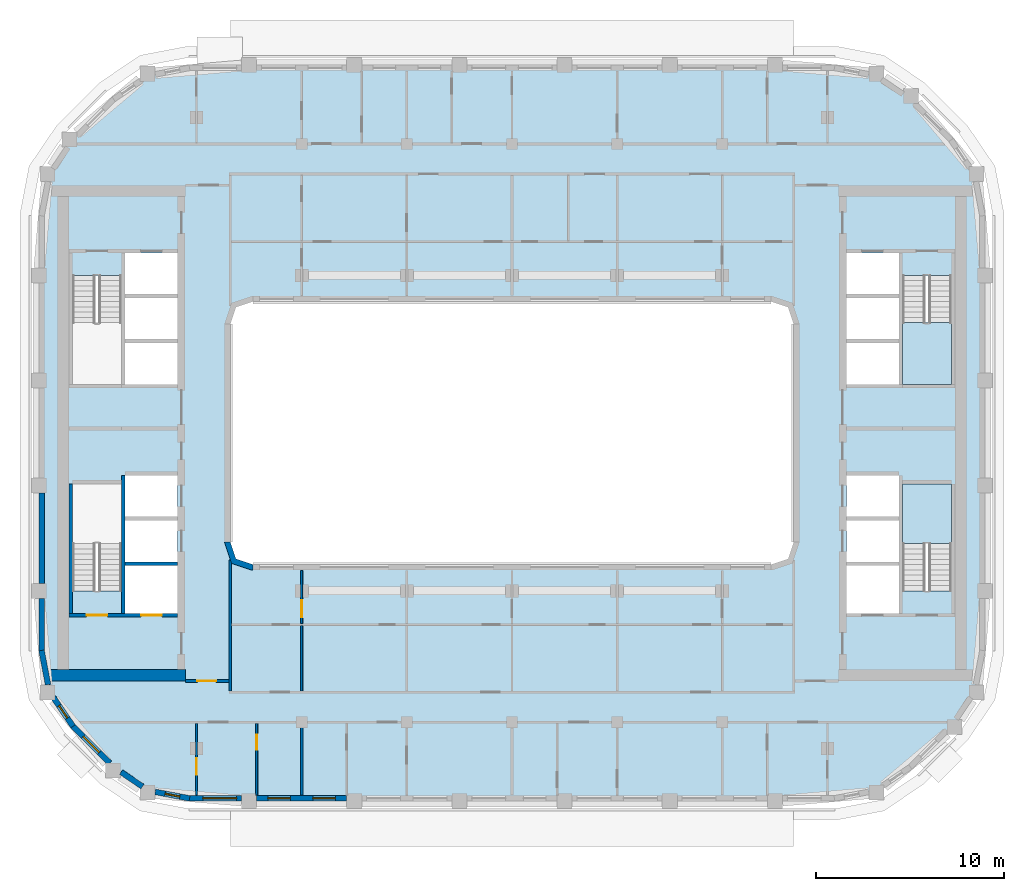
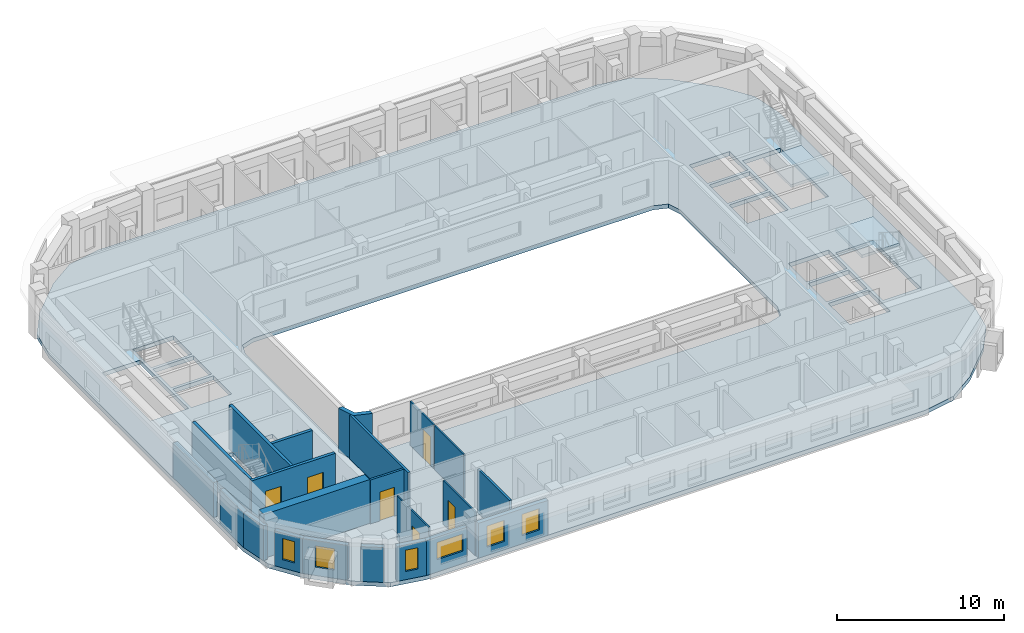
# One storey, part 2 of 16: 22 walls, 6 doors, 6 windows, 3 slabs, 12 openings, 2 elements without a shape of their own.
"""IFC4 building model written with IfcOpenShell, lengths in metres."""

from ifc_helpers import new_model, si_unit, direction, frame, frame_2d, origin, place, context, subcontext, project, spatial, polyline, rectangle, outline, extrude, material, layer, layer_set, type_object, element, fill, aggregate, save


model = new_model("IFC4")

# Units and contexts
model_context = context("Model", 3, precision=1e-05, world=origin(), true_north=direction((0.0, 1.0)))
body_context = subcontext(model_context, "Body", "Model", "MODEL_VIEW")
ifc_project = project(units=[si_unit("LENGTHUNIT", "METRE"), si_unit("AREAUNIT", "SQUARE_METRE"), si_unit("VOLUMEUNIT", "CUBIC_METRE"), si_unit("PLANEANGLEUNIT", "RADIAN"), si_unit("MASSUNIT", "GRAM", prefix="KILO")], contexts=[model_context])

# Site, building, storey
site_placement = place(None, origin())
site = spatial("IfcSite", under=ifc_project, at=site_placement, CompositionType="ELEMENT")
building_placement = place(site_placement, origin())
building = spatial("IfcBuilding", under=site, at=building_placement, Name="Kiln Ring Residences", CompositionType="ELEMENT")
storey_placement = place(building_placement, frame((0.0, 0.0, 245.199951171875)))
storey = spatial("IfcBuildingStorey", under=building, at=storey_placement, Name="L63", CompositionType="ELEMENT", Elevation=245.199951171875)

# Stair, slab
ifc_material_1 = material(Name="Concrete C40/50", Category="concrete")
stair_type = type_object("IfcStairType", Name="CORE-STAIR", PredefinedType="HALF_TURN_STAIR", material=ifc_material_1)
placement_1 = place(storey_placement, origin())
stair_1 = element("IfcStair", 1, at=placement_1, inside=storey, type_object=stair_type, Name="L63 stair E-STN", PredefinedType="HALF_TURN_STAIR")
ifc_material_2 = material(Name="Concrete C40/50", Category="concrete")
ifc_layer_1 = layer(ifc_material_2, 0.199951171875)
ifc_layer_set_1 = layer_set([ifc_layer_1], Name="CORE-STAIR-LANDING")
slab_type_1 = type_object("IfcSlabType", Name="CORE-STAIR-LANDING", PredefinedType="LANDING", material=ifc_layer_set_1)
placement_2 = place(storey_placement, frame((0.0, 0.0, 1.550048828125)))
slab_1 = element("IfcSlab", 2, at=placement_2, type_object=slab_type_1, Name="E-STN landing 1", PredefinedType="LANDING", context=body_context, shape_type="SweptSolid", body=[
    extrude(outline(polyline([(20.800048828125, 5.8798828125), (20.800048828125, 2.60009765625), (23.39990234375, 2.60009765625), (23.39990234375, 5.8798828125), (20.800048828125, 5.8798828125)])), origin(), (0.0, 0.0, 1.0), 0.199951171875),
])
aggregate(stair_1, [slab_1])

stair_2 = element("IfcStair", 3, at=placement_1, inside=storey, type_object=stair_type, Name="L63 stair E-STS", PredefinedType="HALF_TURN_STAIR")
slab_2 = element("IfcSlab", 4, at=placement_2, type_object=slab_type_1, Name="E-STS landing 1", PredefinedType="LANDING", context=body_context, shape_type="SweptSolid", body=[
    extrude(outline(polyline([(23.39990234375, -5.8798828125), (23.39990234375, -2.699951171875), (20.800048828125, -2.699951171875), (20.800048828125, -5.8798828125), (23.39990234375, -5.8798828125)])), origin(), (0.0, 0.0, 1.0), 0.199951171875),
])
aggregate(stair_2, [slab_2])

# Slab
ifc_material_3 = material(Name="Concrete C40/50", Category="concrete")
ifc_layer_2 = layer(ifc_material_3, 0.300048828125)
ifc_layer_set_2 = layer_set([ifc_layer_2], Name="Floor slab 300")
slab_type_2 = type_object("IfcSlabType", Name="Floor slab 300", PredefinedType="FLOOR", material=ifc_layer_set_2)
slab_3_placement = place(storey_placement, frame((0.0, 0.0, -0.300048828125)))
element("IfcSlab", 5, at=slab_3_placement, inside=storey, type_object=slab_type_2, Name="Floor slab L63 1", PredefinedType="FLOOR", context=body_context, shape_type="SweptSolid", body=[
    extrude(outline(polyline([(-23.5029296875, -15.697021484375), (-21.297119140625, -17.90283203125), (-19.42431640625, -19.17578125), (-17.199951171875, -19.60009765625), (17.199951171875, -19.60009765625), (19.42431640625, -19.17578125), (21.297119140625, -17.90283203125), (23.5029296875, -15.697021484375), (24.775634765625, -13.82421875), (25.199951171875, -11.60009765625), (25.199951171875, 11.60009765625), (24.775634765625, 13.82421875), (23.5029296875, 15.697021484375), (21.297119140625, 17.90283203125), (19.42431640625, 19.17578125), (17.199951171875, 19.60009765625), (-17.199951171875, 19.60009765625), (-19.42431640625, 19.17578125), (-21.297119140625, 17.90283203125), (-23.5029296875, 15.697021484375), (-24.775634765625, 13.82421875), (-25.199951171875, 11.60009765625), (-25.199951171875, -11.60009765625), (-24.775634765625, -13.82421875), (-23.5029296875, -15.697021484375)]), holes=[polyline([(-14.699951171875, -6.699951171875), (-15.0, -5.800048828125), (-15.0, 5.800048828125), (-14.699951171875, 6.699951171875), (-13.800048828125, 7.0), (13.800048828125, 7.0), (14.699951171875, 6.699951171875), (15.0, 5.800048828125), (15.0, -5.800048828125), (14.699951171875, -6.699951171875), (13.800048828125, -7.0), (-13.800048828125, -7.0), (-14.699951171875, -6.699951171875)]), polyline([(20.800048828125, -8.39794921875), (20.800048828125, -2.699951171875), (23.39990234375, -2.699951171875), (23.39990234375, -8.39794921875), (20.800048828125, -8.39794921875)]), polyline([(20.800048828125, 2.60009765625), (20.800048828125, 8.39794921875), (23.39990234375, 8.39794921875), (23.39990234375, 2.60009765625), (20.800048828125, 2.60009765625)]), polyline([(17.800048828125, -9.60009765625), (17.800048828125, -7.050048828125), (20.60009765625, -7.050048828125), (20.60009765625, -9.60009765625), (17.800048828125, -9.60009765625)]), polyline([(17.800048828125, -6.85009765625), (17.800048828125, -4.64990234375), (20.60009765625, -4.64990234375), (20.60009765625, -6.85009765625), (17.800048828125, -6.85009765625)]), polyline([(17.800048828125, -4.449951171875), (17.800048828125, -2.25), (20.60009765625, -2.25), (20.60009765625, -4.449951171875), (17.800048828125, -4.449951171875)]), polyline([(17.800048828125, 2.60009765625), (17.800048828125, 4.800048828125), (20.60009765625, 4.800048828125), (20.60009765625, 2.60009765625), (17.800048828125, 2.60009765625)]), polyline([(17.800048828125, 5.0), (17.800048828125, 7.199951171875), (20.60009765625, 7.199951171875), (20.60009765625, 5.0), (17.800048828125, 5.0)]), polyline([(17.800048828125, 7.39990234375), (17.800048828125, 9.60009765625), (20.60009765625, 9.60009765625), (20.60009765625, 7.39990234375), (17.800048828125, 7.39990234375)]), polyline([(-17.800048828125, -9.60009765625), (-20.60009765625, -9.60009765625), (-20.60009765625, -7.050048828125), (-17.800048828125, -7.050048828125), (-17.800048828125, -9.60009765625)]), polyline([(-17.800048828125, -6.85009765625), (-20.60009765625, -6.85009765625), (-20.60009765625, -4.64990234375), (-17.800048828125, -4.64990234375), (-17.800048828125, -6.85009765625)]), polyline([(-17.800048828125, -4.449951171875), (-20.60009765625, -4.449951171875), (-20.60009765625, -2.25), (-17.800048828125, -2.25), (-17.800048828125, -4.449951171875)]), polyline([(-17.800048828125, 2.60009765625), (-20.60009765625, 2.60009765625), (-20.60009765625, 4.800048828125), (-17.800048828125, 4.800048828125), (-17.800048828125, 2.60009765625)]), polyline([(-17.800048828125, 5.0), (-20.60009765625, 5.0), (-20.60009765625, 7.199951171875), (-17.800048828125, 7.199951171875), (-17.800048828125, 5.0)]), polyline([(-17.800048828125, 7.39990234375), (-20.60009765625, 7.39990234375), (-20.60009765625, 9.60009765625), (-17.800048828125, 9.60009765625), (-17.800048828125, 7.39990234375)]), polyline([(-20.800048828125, -8.39794921875), (-23.39990234375, -8.39794921875), (-23.39990234375, -2.699951171875), (-20.800048828125, -2.699951171875), (-20.800048828125, -8.39794921875)]), polyline([(-20.800048828125, 2.60009765625), (-23.39990234375, 2.60009765625), (-23.39990234375, 8.39794921875), (-20.800048828125, 8.39794921875), (-20.800048828125, 2.60009765625)])]), origin(), (0.0, 0.0, 1.0), 0.300048828125),
])

# Walls
ifc_material_4 = material(Name="Gypsum shaft wall system")
ifc_layer_3 = layer(ifc_material_4, 0.199951171875)
ifc_layer_set_3 = layer_set([ifc_layer_3], Name="CORE-SHAFT-WALL-200")
wall_type_1 = type_object("IfcWallType", Name="CORE-SHAFT-WALL-200", PredefinedType="PARTITIONING", material=ifc_layer_set_3)
wall_1_placement = place(storey_placement, frame((-17.800048828125, -6.949951171875, 0.0), z_axis=(0.0, 0.0, 1.0), x_axis=(-1.0, 0.0, 0.0)))
element("IfcWall", 6, at=wall_1_placement, inside=storey, type_object=wall_type_1, Name="Core partition west L63 2", PredefinedType="PARTITIONING", context=body_context, shape_type="SweptSolid", body=[
    extrude(rectangle(XDim=2.800048828125, YDim=0.199951171875, at=frame_2d((1.39990234375, 0.0))), origin(), (0.0, 0.0, 1.0), 3.199951171875),
])
ifc_material_5 = material(Name="Concrete C40/50", Category="concrete")
ifc_layer_4 = layer(ifc_material_5, 0.199951171875)
ifc_layer_set_4 = layer_set([ifc_layer_4], Name="CORE-WALL-RC200")
wall_type_2 = type_object("IfcWallType", Name="CORE-WALL-RC200", PredefinedType="SHEAR", material=ifc_layer_set_4)
wall_2_placement = place(storey_placement, frame((-20.699951171875, -9.60009765625, 0.0), z_axis=(0.0, 0.0, 1.0), x_axis=(0.0, 1.0, 0.0)))
element("IfcWall", 7, at=wall_2_placement, inside=storey, type_object=wall_type_2, Name="Core wall west L63 2", PredefinedType="SHEAR", context=body_context, shape_type="SweptSolid", body=[
    extrude(rectangle(XDim=7.35009765625, YDim=0.199951171875, at=frame_2d((3.675048828125, 0.0))), origin(), (0.0, 0.0, 1.0), 3.199951171875),
])

# Wall, openings, doors
wall_3_placement = place(storey_placement, frame((-17.800048828125, -9.699951171875, 0.0), z_axis=(0.0, 0.0, 1.0), x_axis=(-1.0, 0.0, 0.0)))
wall_3 = element("IfcWall", 8, at=wall_3_placement, inside=storey, type_object=wall_type_2, Name="Core wall west L63 8", PredefinedType="SHEAR", context=body_context, shape_type="SweptSolid", body=[
    extrude(rectangle(XDim=5.800048828125, YDim=0.199951171875, at=frame_2d((2.89990234375, 0.0))), origin(), (0.0, 0.0, 1.0), 3.199951171875),
])
opening_1_placement = place(wall_3_placement, frame((0.85009765625, 0.0, 0.0)))
opening_1 = element("IfcOpeningElement", 9, at=opening_1_placement, cuts=wall_3, Name="Opening L63-CW01", PredefinedType="OPENING", context=body_context, shape_type="SweptSolid", body=[
    extrude(rectangle(XDim=1.10009765625, YDim=2.10009765625, at=frame_2d((0.550048828125, 1.050048828125))), frame((0.0, 0.10986328125, 0.0), z_axis=(0.0, -1.0, 0.0), x_axis=(1.0, 0.0, 0.0)), (0.0, 0.0, 1.0), 0.219970703125),
])
opening_2_placement = place(wall_3_placement, frame((3.75, 0.0, 0.0)))
opening_2 = element("IfcOpeningElement", 10, at=opening_2_placement, cuts=wall_3, Name="Opening L63-CW09", PredefinedType="OPENING", context=body_context, shape_type="SweptSolid", body=[
    extrude(rectangle(XDim=1.10009765625, YDim=2.10009765625, at=frame_2d((0.550048828125, 1.050048828125))), frame((0.0, 0.10986328125, 0.0), z_axis=(0.0, -1.0, 0.0), x_axis=(1.0, 0.0, 0.0)), (0.0, 0.0, 1.0), 0.219970703125),
])
ifc_material_6 = material(Name="Steel door leaf", Category="steel")
door_type_1 = type_object("IfcDoorType", Name="CORE-DOOR-LD", OperationType="DOUBLE_DOOR_SLIDING", PredefinedType="DOOR", material=ifc_material_6)
door_1_placement = place(opening_1_placement, origin())
door_1 = element("IfcDoor", 11, at=door_1_placement, inside=storey, type_object=door_type_1, Name="LD W-SV L63-CW01", OperationType="DOUBLE_DOOR_SLIDING", OverallHeight=2.10009765625, OverallWidth=1.10009765625, PredefinedType="DOOR", context=body_context, shape_type="SweptSolid", body=[
    extrude(rectangle(XDim=1.10009765625, YDim=2.10009765625, at=frame_2d((0.550048828125, 1.050048828125))), frame((0.0, 0.02490234375, 0.0), z_axis=(0.0, -1.0, 0.0), x_axis=(1.0, 0.0, 0.0)), (0.0, 0.0, 1.0), 0.050048828125),
])
fill(opening_1, door_1)
ifc_material_7 = material(Name="Steel door leaf", Category="steel")
door_type_2 = type_object("IfcDoorType", Name="CORE-DOOR-STAIR", OperationType="SINGLE_SWING_LEFT", PredefinedType="DOOR", material=ifc_material_7)
door_2_placement = place(opening_2_placement, origin())
door_2 = element("IfcDoor", 12, at=door_2_placement, inside=storey, type_object=door_type_2, Name="Stair W-STS L63-CW09", OperationType="SINGLE_SWING_RIGHT", OverallHeight=2.10009765625, OverallWidth=1.10009765625, PredefinedType="DOOR", context=body_context, shape_type="SweptSolid", body=[
    extrude(rectangle(XDim=1.10009765625, YDim=2.10009765625, at=frame_2d((0.550048828125, 1.050048828125))), frame((0.0, 0.02490234375, 0.0), z_axis=(0.0, -1.0, 0.0), x_axis=(1.0, 0.0, 0.0)), (0.0, 0.0, 1.0), 0.050048828125),
])
fill(opening_2, door_2)

# Walls
wall_4_placement = place(storey_placement, frame((-23.5, -9.60009765625, 0.0), z_axis=(0.0, 0.0, 1.0), x_axis=(0.0, 1.0, 0.0)))
element("IfcWall", 13, at=wall_4_placement, inside=storey, type_object=wall_type_2, Name="Core wall west L63 11", PredefinedType="SHEAR", context=body_context, shape_type="SweptSolid", body=[
    extrude(rectangle(XDim=6.900146484375, YDim=0.199951171875, at=frame_2d((3.4501953125, 0.0))), origin(), (0.0, 0.0, 1.0), 3.199951171875),
])
ifc_material_8 = material(Name="Concrete C60/75", Category="concrete")
ifc_layer_5 = layer(ifc_material_8, 0.60009765625)
ifc_layer_set_5 = layer_set([ifc_layer_5], Name="CORE-WALL-RC600")
wall_type_3 = type_object("IfcWallType", Name="CORE-WALL-RC600", PredefinedType="SHEAR", material=ifc_layer_set_5)
wall_5_placement = place(storey_placement, frame((-17.39990234375, -12.89990234375, 0.0), z_axis=(0.0, 0.0, 1.0), x_axis=(-1.0, 0.0, 0.0)))
element("IfcWall", 14, at=wall_5_placement, inside=storey, type_object=wall_type_3, Name="Core wall west L63 5", PredefinedType="SHEAR", context=body_context, shape_type="SweptSolid", body=[
    extrude(rectangle(XDim=7.320068359375, YDim=0.60009765625, at=frame_2d((3.66015625, 0.0))), origin(), (0.0, 0.0, 1.0), 3.199951171875),
])

# Wall, opening, window
ifc_material_9 = material(Name="Brick masonry, dark clay brick", Category="masonry")
ifc_layer_6 = layer(ifc_material_9, 0.300048828125)
ifc_layer_set_6 = layer_set([ifc_layer_6], Name="EW-300 BRICK WALL")
wall_type_4 = type_object("IfcWallType", Name="EW-300 BRICK WALL", PredefinedType="SOLIDWALL", material=ifc_layer_set_6)
wall_6_placement = place(storey_placement, frame((-23.39697265625, -15.591064453125, 0.0), z_axis=(0.0, 0.0, 1.0), x_axis=(0.707150377276, -0.707063182409, 0.0)))
wall_6 = element("IfcWall", 15, at=wall_6_placement, inside=storey, type_object=wall_type_4, Name="Facade wall L63 1", PredefinedType="SOLIDWALL", context=body_context, shape_type="SweptSolid", body=[
    extrude(rectangle(XDim=2.800048828125, YDim=0.300048828125, at=frame_2d((1.39990234375, 0.0))), origin(), (0.0, 0.0, 1.0), 2.550048828125),
])
opening_3_placement = place(wall_6_placement, frame((0.800048828125, 0.0, 0.60009765625)))
opening_3 = element("IfcOpeningElement", 16, at=opening_3_placement, cuts=wall_6, Name="Opening W1", PredefinedType="OPENING", context=body_context, shape_type="SweptSolid", body=[
    extrude(rectangle(XDim=1.199951171875, YDim=1.550048828125, at=frame_2d((0.60009765625, 0.77490234375))), frame((0.0, 0.159912109375, 0.0), z_axis=(0.0, -1.0, 0.0), x_axis=(1.0, 0.0, 0.0)), (0.0, 0.0, 1.0), 0.320068359375),
])
ifc_material_10 = material(Name="Aluminium frame with double glazing", Category="aluminium")
window_type_1 = type_object("IfcWindowType", Name="WINDOW 1200 x 1550", PartitioningType="SINGLE_PANEL", PredefinedType="WINDOW", material=ifc_material_10)
window_1_placement = place(opening_3_placement, origin())
window_1 = element("IfcWindow", 17, at=window_1_placement, inside=storey, type_object=window_type_1, Name="Window L63 1", OverallHeight=1.550048828125, OverallWidth=1.199951171875, PartitioningType="SINGLE_PANEL", PredefinedType="WINDOW", context=body_context, shape_type="SweptSolid", body=[
    extrude(rectangle(XDim=1.199951171875, YDim=1.550048828125, at=frame_2d((0.60009765625, 0.77490234375))), frame((0.0, 0.030029296875, 0.0), z_axis=(0.0, -1.0, 0.0), x_axis=(1.0, 0.0, 0.0)), (0.0, 0.0, 1.0), 0.06005859375),
])
fill(opening_3, window_1)

# Wall
wall_7_placement = place(storey_placement, frame((-20.816650390625, -18.048095703125, 0.0), z_axis=(0.0, 0.0, 1.0), x_axis=(0.827025410886, -0.562164539747, 0.0)))
element("IfcWall", 18, at=wall_7_placement, inside=storey, type_object=wall_type_4, Name="Facade wall L63 2", PredefinedType="SOLIDWALL", context=body_context, shape_type="SweptSolid", body=[
    extrude(rectangle(XDim=1.377197265625, YDim=0.300048828125, at=frame_2d((0.6884765625, 0.0))), origin(), (0.0, 0.0, 1.0), 2.550048828125),
])

# Wall, opening, window
wall_8_placement = place(storey_placement, frame((-18.9951171875, -19.10498046875, 0.0), z_axis=(0.0, 0.0, 1.0), x_axis=(0.982301706131, -0.187305520826, 0.0)))
wall_8 = element("IfcWall", 19, at=wall_8_placement, inside=storey, type_object=wall_type_4, Name="Facade wall L63 3", PredefinedType="SOLIDWALL", context=body_context, shape_type="SweptSolid", body=[
    extrude(rectangle(XDim=1.856201171875, YDim=0.300048828125, at=frame_2d((0.92822265625, 0.0))), origin(), (0.0, 0.0, 1.0), 2.550048828125),
])
opening_4_placement = place(wall_8_placement, frame((0.528076171875, 0.0, 0.60009765625)))
opening_4 = element("IfcOpeningElement", 20, at=opening_4_placement, cuts=wall_8, Name="Opening W5", PredefinedType="OPENING", context=body_context, shape_type="SweptSolid", body=[
    extrude(rectangle(XDim=0.800048828125, YDim=1.550048828125, at=frame_2d((0.39990234375, 0.77490234375))), frame((0.0, 0.159912109375, 0.0), z_axis=(0.0, -1.0, 0.0), x_axis=(1.0, 0.0, 0.0)), (0.0, 0.0, 1.0), 0.320068359375),
])
ifc_material_11 = material(Name="Aluminium frame with double glazing", Category="aluminium")
window_type_2 = type_object("IfcWindowType", Name="WINDOW 800 x 1550", PartitioningType="SINGLE_PANEL", PredefinedType="WINDOW", material=ifc_material_11)
window_2_placement = place(opening_4_placement, origin())
window_2 = element("IfcWindow", 21, at=window_2_placement, inside=storey, type_object=window_type_2, Name="Window L63 2", OverallHeight=1.550048828125, OverallWidth=0.800048828125, PartitioningType="SINGLE_PANEL", PredefinedType="WINDOW", context=body_context, shape_type="SweptSolid", body=[
    extrude(rectangle(XDim=0.800048828125, YDim=1.550048828125, at=frame_2d((0.39990234375, 0.77490234375))), frame((0.0, 0.030029296875, 0.0), z_axis=(0.0, -1.0, 0.0), x_axis=(1.0, 0.0, 0.0)), (0.0, 0.0, 1.0), 0.06005859375),
])
fill(opening_4, window_2)

wall_9_placement = place(storey_placement, frame((-17.199951171875, -19.449951171875, 0.0), z_axis=(0.0, 0.0, 1.0), x_axis=(1.0, 0.0, 0.0)))
wall_9 = element("IfcWall", 22, at=wall_9_placement, inside=storey, type_object=wall_type_4, Name="Facade wall L63 4", PredefinedType="SOLIDWALL", context=body_context, shape_type="SweptSolid", body=[
    extrude(rectangle(XDim=2.800048828125, YDim=0.300048828125, at=frame_2d((1.39990234375, 0.0))), origin(), (0.0, 0.0, 1.0), 2.550048828125),
])
opening_5_placement = place(wall_9_placement, frame((0.737548828125, 0.0, 0.89990234375)))
opening_5 = element("IfcOpeningElement", 23, at=opening_5_placement, cuts=wall_9, Name="Opening W2", PredefinedType="OPENING", context=body_context, shape_type="SweptSolid", body=[
    extrude(rectangle(XDim=1.800048828125, YDim=1.25, at=frame_2d((0.89990234375, 0.625))), frame((0.0, 0.159912109375, 0.0), z_axis=(0.0, -1.0, 0.0), x_axis=(1.0, 0.0, 0.0)), (0.0, 0.0, 1.0), 0.320068359375),
])
ifc_material_12 = material(Name="Aluminium frame with double glazing", Category="aluminium")
window_type_3 = type_object("IfcWindowType", Name="WINDOW 1800 x 1250", PartitioningType="SINGLE_PANEL", PredefinedType="WINDOW", material=ifc_material_12)
window_3_placement = place(opening_5_placement, origin())
window_3 = element("IfcWindow", 24, at=window_3_placement, inside=storey, type_object=window_type_3, Name="Window L63 3", OverallHeight=1.25, OverallWidth=1.800048828125, PartitioningType="SINGLE_PANEL", PredefinedType="WINDOW", context=body_context, shape_type="SweptSolid", body=[
    extrude(rectangle(XDim=1.800048828125, YDim=1.25, at=frame_2d((0.89990234375, 0.625))), frame((0.0, 0.030029296875, 0.0), z_axis=(0.0, -1.0, 0.0), x_axis=(1.0, 0.0, 0.0)), (0.0, 0.0, 1.0), 0.06005859375),
])
fill(opening_5, window_3)

# Wall, openings, windows
wall_10_placement = place(storey_placement, frame((-13.60009765625, -19.449951171875, 0.0), z_axis=(0.0, 0.0, 1.0), x_axis=(1.0, 0.0, 0.0)))
wall_10 = element("IfcWall", 25, at=wall_10_placement, inside=storey, type_object=wall_type_4, Name="Facade wall L63 5", PredefinedType="SOLIDWALL", context=body_context, shape_type="SweptSolid", body=[
    extrude(rectangle(XDim=4.800048828125, YDim=0.300048828125, at=frame_2d((2.39990234375, 0.0))), origin(), (0.0, 0.0, 1.0), 2.550048828125),
])
opening_6_placement = place(wall_10_placement, frame((0.60009765625, 0.0, 0.60009765625)))
opening_6 = element("IfcOpeningElement", 26, at=opening_6_placement, cuts=wall_10, Name="Opening W1", PredefinedType="OPENING", context=body_context, shape_type="SweptSolid", body=[
    extrude(rectangle(XDim=1.199951171875, YDim=1.550048828125, at=frame_2d((0.60009765625, 0.77490234375))), frame((0.0, 0.159912109375, 0.0), z_axis=(0.0, -1.0, 0.0), x_axis=(1.0, 0.0, 0.0)), (0.0, 0.0, 1.0), 0.320068359375),
])
opening_7_placement = place(wall_10_placement, frame((3.0, 0.0, 0.60009765625)))
opening_7 = element("IfcOpeningElement", 27, at=opening_7_placement, cuts=wall_10, Name="Opening W1", PredefinedType="OPENING", context=body_context, shape_type="SweptSolid", body=[
    extrude(rectangle(XDim=1.199951171875, YDim=1.550048828125, at=frame_2d((0.60009765625, 0.77490234375))), frame((0.0, 0.159912109375, 0.0), z_axis=(0.0, -1.0, 0.0), x_axis=(1.0, 0.0, 0.0)), (0.0, 0.0, 1.0), 0.320068359375),
])
window_4_placement = place(opening_6_placement, origin())
window_4 = element("IfcWindow", 28, at=window_4_placement, inside=storey, type_object=window_type_1, Name="Window L63 4", OverallHeight=1.550048828125, OverallWidth=1.199951171875, PartitioningType="SINGLE_PANEL", PredefinedType="WINDOW", context=body_context, shape_type="SweptSolid", body=[
    extrude(rectangle(XDim=1.199951171875, YDim=1.550048828125, at=frame_2d((0.60009765625, 0.77490234375))), frame((0.0, 0.030029296875, 0.0), z_axis=(0.0, -1.0, 0.0), x_axis=(1.0, 0.0, 0.0)), (0.0, 0.0, 1.0), 0.06005859375),
])
fill(opening_6, window_4)
window_5_placement = place(opening_7_placement, origin())
window_5 = element("IfcWindow", 29, at=window_5_placement, inside=storey, type_object=window_type_1, Name="Window L63 5", OverallHeight=1.550048828125, OverallWidth=1.199951171875, PartitioningType="SINGLE_PANEL", PredefinedType="WINDOW", context=body_context, shape_type="SweptSolid", body=[
    extrude(rectangle(XDim=1.199951171875, YDim=1.550048828125, at=frame_2d((0.60009765625, 0.77490234375))), frame((0.0, 0.030029296875, 0.0), z_axis=(0.0, -1.0, 0.0), x_axis=(1.0, 0.0, 0.0)), (0.0, 0.0, 1.0), 0.06005859375),
])
fill(opening_7, window_5)

# Walls
wall_11_placement = place(storey_placement, frame((-25.050048828125, -3.199951171875, 0.0), z_axis=(0.0, 0.0, 1.0), x_axis=(0.0, -1.0, 0.0)))
element("IfcWall", 30, at=wall_11_placement, inside=storey, type_object=wall_type_4, Name="Facade wall L63 41", PredefinedType="SOLIDWALL", context=body_context, shape_type="SweptSolid", body=[
    extrude(rectangle(XDim=4.800048828125, YDim=0.300048828125, at=frame_2d((2.39990234375, 0.0))), origin(), (0.0, 0.0, 1.0), 2.550048828125),
])
wall_12_placement = place(storey_placement, frame((-25.050048828125, -8.800048828125, 0.0), z_axis=(0.0, 0.0, 1.0), x_axis=(0.0, -1.0, 0.0)))
element("IfcWall", 31, at=wall_12_placement, inside=storey, type_object=wall_type_4, Name="Facade wall L63 42", PredefinedType="SOLIDWALL", context=body_context, shape_type="SweptSolid", body=[
    extrude(rectangle(XDim=2.800048828125, YDim=0.300048828125, at=frame_2d((1.39990234375, 0.0))), origin(), (0.0, 0.0, 1.0), 2.550048828125),
])
wall_13_placement = place(storey_placement, frame((-25.052734375, -11.57177734375, 0.0), z_axis=(0.0, 0.0, 1.0), x_axis=(0.187408222942, -0.982282117303, 0.0)))
element("IfcWall", 32, at=wall_13_placement, inside=storey, type_object=wall_type_4, Name="Facade wall L63 43", PredefinedType="SOLIDWALL", context=body_context, shape_type="SweptSolid", body=[
    extrude(rectangle(XDim=1.8564453125, YDim=0.300048828125, at=frame_2d((0.92822265625, 0.0))), origin(), (0.0, 0.0, 1.0), 2.550048828125),
])

# Wall, opening, window
wall_14_placement = place(storey_placement, frame((-24.422119140625, -14.07763671875, 0.0), z_axis=(0.0, 0.0, 1.0), x_axis=(0.562054549384, -0.827100165347, 0.0)))
wall_14 = element("IfcWall", 33, at=wall_14_placement, inside=storey, type_object=wall_type_4, Name="Facade wall L63 44", PredefinedType="SOLIDWALL", context=body_context, shape_type="SweptSolid", body=[
    extrude(rectangle(XDim=1.85595703125, YDim=0.300048828125, at=frame_2d((0.927978515625, 0.0))), origin(), (0.0, 0.0, 1.0), 2.550048828125),
])
opening_8_placement = place(wall_14_placement, frame((0.528076171875, 0.0, 0.60009765625)))
opening_8 = element("IfcOpeningElement", 34, at=opening_8_placement, cuts=wall_14, Name="Opening W5", PredefinedType="OPENING", context=body_context, shape_type="SweptSolid", body=[
    extrude(rectangle(XDim=0.800048828125, YDim=1.550048828125, at=frame_2d((0.39990234375, 0.77490234375))), frame((0.0, 0.159912109375, 0.0), z_axis=(0.0, -1.0, 0.0), x_axis=(1.0, 0.0, 0.0)), (0.0, 0.0, 1.0), 0.320068359375),
])
window_6_placement = place(opening_8_placement, origin())
window_6 = element("IfcWindow", 35, at=window_6_placement, inside=storey, type_object=window_type_2, Name="Window L63 36", OverallHeight=1.550048828125, OverallWidth=0.800048828125, PartitioningType="SINGLE_PANEL", PredefinedType="WINDOW", context=body_context, shape_type="SweptSolid", body=[
    extrude(rectangle(XDim=0.800048828125, YDim=1.550048828125, at=frame_2d((0.39990234375, 0.77490234375))), frame((0.0, 0.030029296875, 0.0), z_axis=(0.0, -1.0, 0.0), x_axis=(1.0, 0.0, 0.0)), (0.0, 0.0, 1.0), 0.06005859375),
])
fill(opening_8, window_6)

# Wall
element("IfcWall", 36, at=placement_1, inside=storey, type_object=wall_type_4, Name="Corner wall L63 4", PredefinedType="SOLIDWALL", context=body_context, shape_type="SweptSolid", body=[
    extrude(outline(polyline([(-14.937255859375, -6.937255859375), (-13.8486328125, -7.300048828125), (-13.800048828125, -7.300048828125), (-13.800048828125, -7.0), (-14.699951171875, -6.699951171875), (-15.0, -5.800048828125), (-15.300048828125, -5.800048828125), (-15.300048828125, -5.8486328125), (-14.937255859375, -6.937255859375)])), origin(), (0.0, 0.0, 1.0), 3.199951171875),
])

# Wall, opening, door
ifc_material_13 = material(Name="Gypsum board on steel studs", Category="steel")
ifc_layer_7 = layer(ifc_material_13, 0.10009765625)
ifc_layer_set_7 = layer_set([ifc_layer_7], Name="PARTITION-100")
wall_type_5 = type_object("IfcWallType", Name="PARTITION-100", PredefinedType="PARTITIONING", material=ifc_layer_set_7)
wall_16_placement = place(storey_placement, frame((-16.800048828125, -19.280029296875, 0.0), z_axis=(0.0, 0.0, 1.0), x_axis=(0.0, 1.0, 0.0)))
wall_16 = element("IfcWall", 37, at=wall_16_placement, inside=storey, type_object=wall_type_5, Name="Partition 010", PredefinedType="PARTITIONING", context=body_context, shape_type="SweptSolid", body=[
    extrude(rectangle(XDim=3.804931640625, YDim=0.10009765625, at=frame_2d((1.90234375, 0.0))), origin(), (0.0, 0.0, 1.0), 3.199951171875),
])
opening_9_placement = place(wall_16_placement, frame((1.0791015625, 0.0, 0.0)))
opening_9 = element("IfcOpeningElement", 38, at=opening_9_placement, cuts=wall_16, Name="Opening L63-D043", PredefinedType="OPENING", context=body_context, shape_type="SweptSolid", body=[
    extrude(rectangle(XDim=0.89990234375, YDim=2.10009765625, at=frame_2d((0.449951171875, 1.050048828125))), frame((0.0, 0.06005859375, 0.0), z_axis=(0.0, -1.0, 0.0), x_axis=(1.0, 0.0, 0.0)), (0.0, 0.0, 1.0), 0.1201171875),
])
ifc_material_14 = material(Name="Timber door leaf", Category="wood")
door_type_3 = type_object("IfcDoorType", Name="FLAT-DOOR-900-PL", OperationType="SINGLE_SWING_LEFT", PredefinedType="DOOR", material=ifc_material_14)
door_3_placement = place(opening_9_placement, origin())
door_3 = element("IfcDoor", 39, at=door_3_placement, inside=storey, type_object=door_type_3, Name="Door L63-D043", OperationType="SINGLE_SWING_RIGHT", OverallHeight=2.10009765625, OverallWidth=0.89990234375, PredefinedType="DOOR", context=body_context, shape_type="SweptSolid", body=[
    extrude(rectangle(XDim=0.89990234375, YDim=2.10009765625, at=frame_2d((0.449951171875, 1.050048828125))), frame((0.0, 0.02490234375, 0.0), z_axis=(0.0, -1.0, 0.0), x_axis=(1.0, 0.0, 0.0)), (0.0, 0.0, 1.0), 0.050048828125),
])
fill(opening_9, door_3)

wall_17_placement = place(storey_placement, frame((-13.60009765625, -19.280029296875, 0.0), z_axis=(0.0, 0.0, 1.0), x_axis=(0.0, 1.0, 0.0)))
wall_17 = element("IfcWall", 40, at=wall_17_placement, inside=storey, type_object=wall_type_5, Name="Partition 014", PredefinedType="PARTITIONING", context=body_context, shape_type="SweptSolid", body=[
    extrude(rectangle(XDim=3.804931640625, YDim=0.10009765625, at=frame_2d((1.90234375, 0.0))), origin(), (0.0, 0.0, 1.0), 3.199951171875),
])
opening_10_placement = place(wall_17_placement, frame((2.419921875, 0.0, 0.0)))
opening_10 = element("IfcOpeningElement", 41, at=opening_10_placement, cuts=wall_17, Name="Opening L63-D042", PredefinedType="OPENING", context=body_context, shape_type="SweptSolid", body=[
    extrude(rectangle(XDim=0.800048828125, YDim=2.10009765625, at=frame_2d((0.39990234375, 1.050048828125))), frame((0.0, 0.06005859375, 0.0), z_axis=(0.0, -1.0, 0.0), x_axis=(1.0, 0.0, 0.0)), (0.0, 0.0, 1.0), 0.1201171875),
])
ifc_material_15 = material(Name="Timber door leaf", Category="wood")
door_type_4 = type_object("IfcDoorType", Name="FLAT-DOOR-800-PL", OperationType="SINGLE_SWING_LEFT", PredefinedType="DOOR", material=ifc_material_15)
door_4_placement = place(opening_10_placement, origin())
door_4 = element("IfcDoor", 42, at=door_4_placement, inside=storey, type_object=door_type_4, Name="Door L63-D042", OperationType="SINGLE_SWING_RIGHT", OverallHeight=2.10009765625, OverallWidth=0.800048828125, PredefinedType="DOOR", context=body_context, shape_type="SweptSolid", body=[
    extrude(rectangle(XDim=0.800048828125, YDim=2.10009765625, at=frame_2d((0.39990234375, 1.050048828125))), frame((0.0, 0.02490234375, 0.0), z_axis=(0.0, -1.0, 0.0), x_axis=(1.0, 0.0, 0.0)), (0.0, 0.0, 1.0), 0.050048828125),
])
fill(opening_10, door_4)

# Wall
wall_18_placement = place(storey_placement, frame((-11.199951171875, -13.72509765625, 0.0), z_axis=(0.0, 0.0, 1.0), x_axis=(0.0, 1.0, 0.0)))
element("IfcWall", 43, at=wall_18_placement, inside=storey, type_object=wall_type_5, Name="Partition 015", PredefinedType="PARTITIONING", context=body_context, shape_type="SweptSolid", body=[
    extrude(rectangle(XDim=3.47509765625, YDim=0.10009765625, at=frame_2d((1.737548828125, 0.0))), origin(), (0.0, 0.0, 1.0), 3.199951171875),
])

# Wall, opening, door
wall_19_placement = place(storey_placement, frame((-11.199951171875, -10.14990234375, 0.0), z_axis=(0.0, 0.0, 1.0), x_axis=(0.0, 1.0, 0.0)))
wall_19 = element("IfcWall", 44, at=wall_19_placement, inside=storey, type_object=wall_type_5, Name="Partition 016", PredefinedType="PARTITIONING", context=body_context, shape_type="SweptSolid", body=[
    extrude(rectangle(XDim=2.829833984375, YDim=0.10009765625, at=frame_2d((1.4150390625, 0.0))), origin(), (0.0, 0.0, 1.0), 3.199951171875),
])
opening_11_placement = place(wall_19_placement, frame((0.35009765625, 0.0, 0.0)))
opening_11 = element("IfcOpeningElement", 45, at=opening_11_placement, cuts=wall_19, Name="Opening L63-D032", PredefinedType="OPENING", context=body_context, shape_type="SweptSolid", body=[
    extrude(rectangle(XDim=0.89990234375, YDim=2.10009765625, at=frame_2d((0.449951171875, 1.050048828125))), frame((0.0, 0.06005859375, 0.0), z_axis=(0.0, -1.0, 0.0), x_axis=(1.0, 0.0, 0.0)), (0.0, 0.0, 1.0), 0.1201171875),
])
door_5_placement = place(opening_11_placement, origin())
door_5 = element("IfcDoor", 46, at=door_5_placement, inside=storey, type_object=door_type_3, Name="Door L63-D032", OperationType="SINGLE_SWING_LEFT", OverallHeight=2.10009765625, OverallWidth=0.89990234375, PredefinedType="DOOR", context=body_context, shape_type="SweptSolid", body=[
    extrude(rectangle(XDim=0.89990234375, YDim=2.10009765625, at=frame_2d((0.449951171875, 1.050048828125))), frame((0.0, 0.02490234375, 0.0), z_axis=(0.0, -1.0, 0.0), x_axis=(1.0, 0.0, 0.0)), (0.0, 0.0, 1.0), 0.050048828125),
])
fill(opening_11, door_5)

ifc_material_16 = material(Name="Brick masonry partition", Category="masonry")
ifc_layer_8 = layer(ifc_material_16, 0.14990234375)
ifc_layer_set_8 = layer_set([ifc_layer_8], Name="PARTITION-150-ei60")
wall_type_6 = type_object("IfcWallType", Name="PARTITION-150-ei60", PredefinedType="PARTITIONING", material=ifc_layer_set_8)
wall_20_placement = place(storey_placement, frame((-17.39990234375, -13.199951171875, 0.0), z_axis=(0.0, 0.0, 1.0), x_axis=(1.0, 0.0, 0.0)))
wall_20 = element("IfcWall", 47, at=wall_20_placement, inside=storey, type_object=wall_type_6, Name="Partition 002", PredefinedType="PARTITIONING", context=body_context, shape_type="SweptSolid", body=[
    extrude(rectangle(XDim=2.324951171875, YDim=0.14990234375, at=frame_2d((1.16259765625, 0.0))), origin(), (0.0, 0.0, 1.0), 3.199951171875),
])
opening_12_placement = place(wall_20_placement, frame((0.64990234375, 0.0, 0.0)))
opening_12 = element("IfcOpeningElement", 48, at=opening_12_placement, cuts=wall_20, Name="Opening L63-D003", PredefinedType="OPENING", context=body_context, shape_type="SweptSolid", body=[
    extrude(rectangle(XDim=1.0, YDim=2.10009765625, at=frame_2d((0.5, 1.050048828125))), frame((0.0, 0.0849609375, 0.0), z_axis=(0.0, -1.0, 0.0), x_axis=(1.0, 0.0, 0.0)), (0.0, 0.0, 1.0), 0.169921875),
])
ifc_material_17 = material(Name="Steel faced fire door leaf", Category="steel")
door_type_5 = type_object("IfcDoorType", Name="FLAT-DOOR-1000-FR", OperationType="SINGLE_SWING_LEFT", PredefinedType="DOOR", material=ifc_material_17)
door_6_placement = place(opening_12_placement, origin())
door_6 = element("IfcDoor", 49, at=door_6_placement, inside=storey, type_object=door_type_5, Name="Door L63-D003", OperationType="SINGLE_SWING_RIGHT", OverallHeight=2.10009765625, OverallWidth=1.0, PredefinedType="DOOR", context=body_context, shape_type="SweptSolid", body=[
    extrude(rectangle(XDim=1.0, YDim=2.10009765625, at=frame_2d((0.5, 1.050048828125))), frame((0.0, 0.02490234375, 0.0), z_axis=(0.0, -1.0, 0.0), x_axis=(1.0, 0.0, 0.0)), (0.0, 0.0, 1.0), 0.050048828125),
])
fill(opening_12, door_6)

# Walls
wall_21_placement = place(storey_placement, frame((-15.0, -13.72509765625, 0.0), z_axis=(0.0, 0.0, 1.0), x_axis=(0.0, 1.0, 0.0)))
element("IfcWall", 50, at=wall_21_placement, inside=storey, type_object=wall_type_6, Name="Partition 012", PredefinedType="PARTITIONING", context=body_context, shape_type="SweptSolid", body=[
    extrude(rectangle(XDim=6.956298828125, YDim=0.14990234375, at=frame_2d((3.47802734375, 0.0))), origin(), (0.0, 0.0, 1.0), 3.199951171875),
])
wall_22_placement = place(storey_placement, frame((-11.199951171875, -19.280029296875, 0.0), z_axis=(0.0, 0.0, 1.0), x_axis=(0.0, 1.0, 0.0)))
element("IfcWall", 51, at=wall_22_placement, inside=storey, type_object=wall_type_6, Name="Partition 020", PredefinedType="PARTITIONING", context=body_context, shape_type="SweptSolid", body=[
    extrude(rectangle(XDim=3.804931640625, YDim=0.14990234375, at=frame_2d((1.90234375, 0.0))), origin(), (0.0, 0.0, 1.0), 3.199951171875),
])

save(model, "model.ifc")
